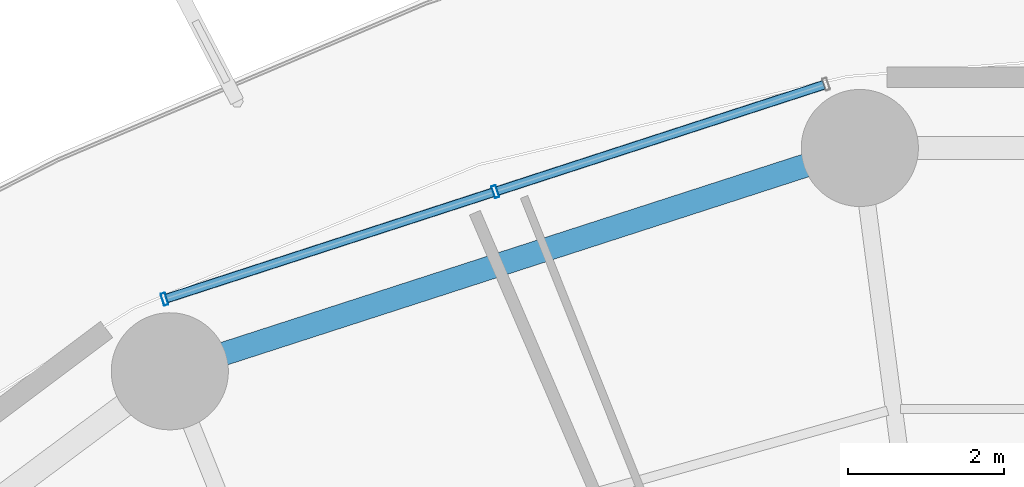
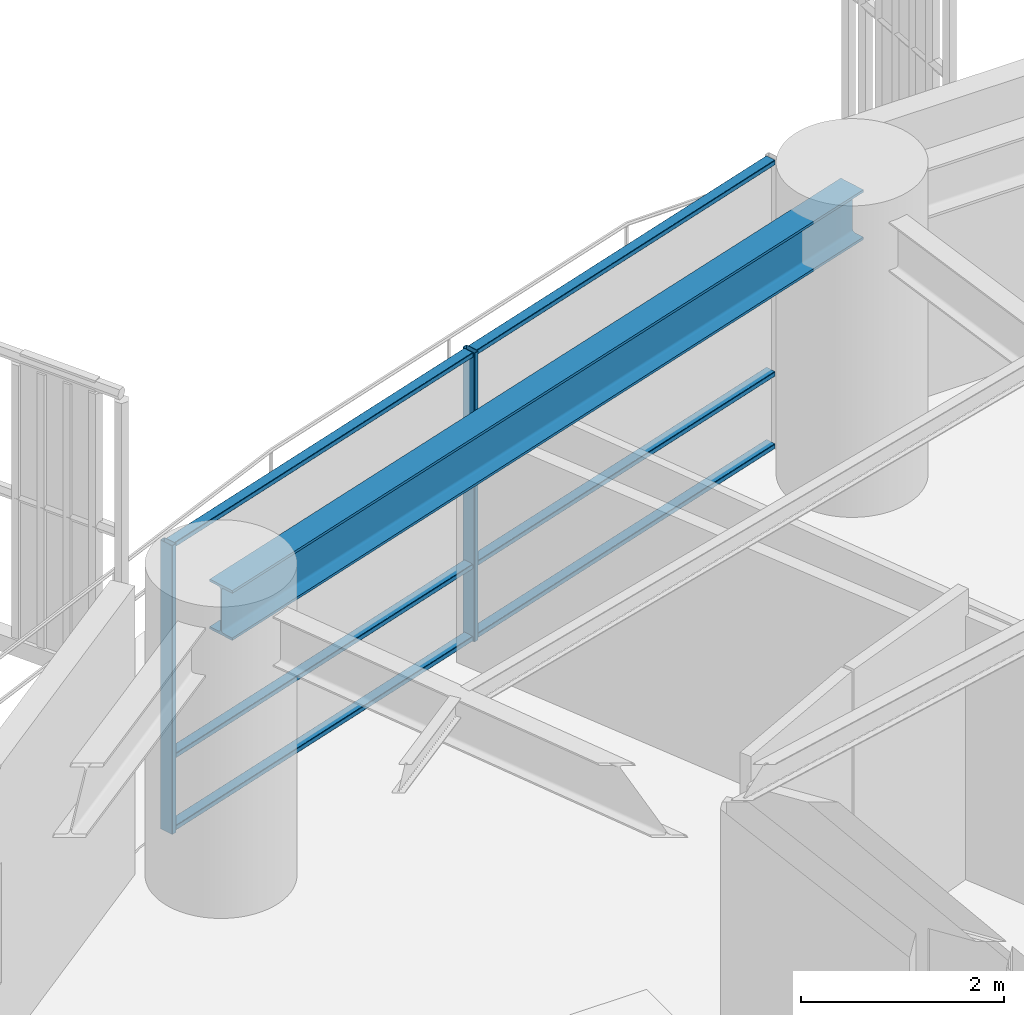
# One storey, part 17 of 33: 8 members, 1 beam, 1 element without a shape of its own.
"""IFC4 building model written with IfcOpenShell, lengths in metres."""

from ifc_helpers import new_model, si_unit, direction, frame, origin, origin_2d, place, context, subcontext, project, spatial, hollow_rectangle, i_section, extrude, material, layer, layer_set, material_profile, profile_set, type_object, element, aggregate, save


model = new_model("IFC4")

# Units and contexts
model_context = context("Model", 3, precision=1e-05, world=origin(), true_north=direction((0.0, 1.0)))
body_context = subcontext(model_context, "Body", "Model", "MODEL_VIEW")
ifc_project = project(units=[si_unit("LENGTHUNIT", "METRE"), si_unit("AREAUNIT", "SQUARE_METRE"), si_unit("VOLUMEUNIT", "CUBIC_METRE"), si_unit("PLANEANGLEUNIT", "RADIAN"), si_unit("MASSUNIT", "GRAM", prefix="KILO")], contexts=[model_context])

# Site, building, storey
site_placement = place(None, origin())
site = spatial("IfcSite", under=ifc_project, at=site_placement, CompositionType="ELEMENT")
building_placement = place(site_placement, origin())
building = spatial("IfcBuilding", under=site, at=building_placement, Name="Kelanora Arch Commons", CompositionType="ELEMENT")
storey_placement = place(building_placement, frame((0.0, 0.0, 45.0)))
storey = spatial("IfcBuildingStorey", under=building, at=storey_placement, Name="L11", CompositionType="ELEMENT", Elevation=45.0)

# Beam
ifc_material_1 = material(Name="Steel S355", Category="steel")
ifc_material_profile_1 = material_profile(ifc_material_1, i_section(OverallWidth=0.300048828125, OverallDepth=0.60009765625, WebThickness=0.015380859375, FlangeThickness=0.030029296875, FilletRadius=0.027099609375, at=origin_2d()), Name="HEB600")
ifc_profile_set_1 = profile_set([ifc_material_profile_1], Name="Steel S355")
beam_type = type_object("IfcBeamType", Name="BM-SPN-Z1", PredefinedType="SPANDREL", material=ifc_profile_set_1)
beam_placement = place(storey_placement, frame((69.297607421875, 81.714111328125, 3.18994140625), z_axis=(-0.951417120402, -0.307904957748, 0.0), x_axis=(0.307904957748, -0.951417120402, 0.0)))
element("IfcBeam", 1, at=beam_placement, inside=storey, type_object=beam_type, Name="Perimeter Spandrel Beam BS-10 L11", PredefinedType="SPANDREL", context=body_context, shape_type="SweptSolid", body=[
    extrude(i_section(OverallWidth=0.300048828125, OverallDepth=0.60009765625, WebThickness=0.015380859375, FlangeThickness=0.030029296875, FilletRadius=0.027099609375, at=origin_2d()), origin(), (0.0, 0.0, 1.0), 9.288818359375),
])

# Curtain wall, members
ifc_material_2 = material(Name="Terracotta ceramic-fritted low-E glass and aluminium", Category="masonry")
ifc_layer = layer(ifc_material_2, 0.159912109375)
ifc_layer_set = layer_set([ifc_layer], Name="Terracotta ceramic-fritted low-E glass and aluminium")
curtain_wall_type = type_object("IfcCurtainWallType", Name="CW-SYS-01", PredefinedType="NOTDEFINED", material=ifc_layer_set)
curtain_wall_placement = place(storey_placement, origin())
curtain_wall = element("IfcCurtainWall", 2, at=curtain_wall_placement, inside=storey, type_object=curtain_wall_type, Name="Unitised Curtain Wall L11-B05", PredefinedType="NOTDEFINED")
ifc_material_3 = material(Name="Powder-coated aluminium terracotta", Category="masonry")
ifc_material_profile_2 = material_profile(ifc_material_3, hollow_rectangle(XDim=0.159912109375, YDim=0.06005859375, WallThickness=0.0048828125, InnerFilletRadius=0.0048828125, OuterFilletRadius=0.010009765625, at=origin_2d()), Name="CWM160x60")
ifc_profile_set_2 = profile_set([ifc_material_profile_2], Name="Powder-coated aluminium terracotta")
member_type_1 = type_object("IfcMemberType", Name="CWM-STD", PredefinedType="MULLION", material=ifc_profile_set_2)
member_1_placement = place(storey_placement, frame((64.62890625, 81.15478515625, 0.0), z_axis=(0.0, 0.0, 1.0), x_axis=(0.30905758454, -0.951043326793, 0.0)))
member_1 = element("IfcMember", 3, at=member_1_placement, type_object=member_type_1, Name="CW-01 mullion 2", PredefinedType="MULLION", context=body_context, shape_type="SweptSolid", body=[
    extrude(hollow_rectangle(XDim=0.159912109375, YDim=0.06005859375, WallThickness=0.0048828125, InnerFilletRadius=0.0048828125, OuterFilletRadius=0.010009765625, at=origin_2d()), origin(), (0.0, 0.0, 1.0), 3.47509765625),
])
member_2_placement = place(storey_placement, frame((60.392333984375, 79.778076171875, 0.0), z_axis=(0.0, 0.0, 1.0), x_axis=(0.30905758454, -0.951043326793, 0.0)))
member_2 = element("IfcMember", 4, at=member_2_placement, type_object=member_type_1, Name="CW-01 mullion 3", PredefinedType="MULLION", context=body_context, shape_type="SweptSolid", body=[
    extrude(hollow_rectangle(XDim=0.159912109375, YDim=0.06005859375, WallThickness=0.0048828125, InnerFilletRadius=0.0048828125, OuterFilletRadius=0.010009765625, at=origin_2d()), origin(), (0.0, 0.0, 1.0), 3.47509765625),
])
ifc_material_profile_3 = material_profile(ifc_material_3, hollow_rectangle(XDim=0.1201171875, YDim=0.06005859375, WallThickness=0.0048828125, InnerFilletRadius=0.0048828125, OuterFilletRadius=0.010009765625, at=origin_2d()), Name="CWT120x60")
ifc_profile_set_3 = profile_set([ifc_material_profile_3], Name="Powder-coated aluminium terracotta")
member_type_2 = type_object("IfcMemberType", Name="CWT-STD", PredefinedType="USERDEFINED", material=ifc_profile_set_3)
member_3_placement = place(storey_placement, frame((68.8369140625, 82.5224609375, 0.030029296875), z_axis=(-0.951028761285, -0.309102402464, 0.0), x_axis=(0.309102402464, -0.951028761285, 0.0)))
member_3 = element("IfcMember", 5, at=member_3_placement, type_object=member_type_2, Name="CW-01 transom 1.1", ObjectType="TRANSOM", PredefinedType="USERDEFINED", context=body_context, shape_type="SweptSolid", body=[
    extrude(hollow_rectangle(XDim=0.1201171875, YDim=0.06005859375, WallThickness=0.0048828125, InnerFilletRadius=0.0048828125, OuterFilletRadius=0.010009765625, at=origin_2d()), origin(), (0.0, 0.0, 1.0), 4.394775390625),
])
member_4_placement = place(storey_placement, frame((68.8369140625, 82.5224609375, 0.89990234375), z_axis=(-0.951028761285, -0.309102402464, 0.0), x_axis=(0.309102402464, -0.951028761285, 0.0)))
member_4 = element("IfcMember", 6, at=member_4_placement, type_object=member_type_2, Name="CW-01 transom 1.2", ObjectType="TRANSOM", PredefinedType="USERDEFINED", context=body_context, shape_type="SweptSolid", body=[
    extrude(hollow_rectangle(XDim=0.1201171875, YDim=0.06005859375, WallThickness=0.0048828125, InnerFilletRadius=0.0048828125, OuterFilletRadius=0.010009765625, at=origin_2d()), origin(), (0.0, 0.0, 1.0), 4.394775390625),
])
member_5_placement = place(storey_placement, frame((68.8369140625, 82.5224609375, 3.445068359375), z_axis=(-0.951028761285, -0.309102402464, 0.0), x_axis=(0.309102402464, -0.951028761285, 0.0)))
member_5 = element("IfcMember", 7, at=member_5_placement, type_object=member_type_2, Name="CW-01 transom 1.3", ObjectType="TRANSOM", PredefinedType="USERDEFINED", context=body_context, shape_type="SweptSolid", body=[
    extrude(hollow_rectangle(XDim=0.1201171875, YDim=0.06005859375, WallThickness=0.0048828125, InnerFilletRadius=0.0048828125, OuterFilletRadius=0.010009765625, at=origin_2d()), origin(), (0.0, 0.0, 1.0), 4.394775390625),
])
member_6_placement = place(storey_placement, frame((64.600341796875, 81.1455078125, 0.030029296875), z_axis=(-0.951045091182, -0.309052155047, 0.0), x_axis=(0.309052155047, -0.951045091182, 0.0)))
member_6 = element("IfcMember", 8, at=member_6_placement, type_object=member_type_2, Name="CW-01 transom 2.1", ObjectType="TRANSOM", PredefinedType="USERDEFINED", context=body_context, shape_type="SweptSolid", body=[
    extrude(hollow_rectangle(XDim=0.1201171875, YDim=0.06005859375, WallThickness=0.0048828125, InnerFilletRadius=0.0048828125, OuterFilletRadius=0.010009765625, at=origin_2d()), origin(), (0.0, 0.0, 1.0), 4.39453125),
])
member_7_placement = place(storey_placement, frame((64.600341796875, 81.1455078125, 0.89990234375), z_axis=(-0.951045091182, -0.309052155047, 0.0), x_axis=(0.309052155047, -0.951045091182, 0.0)))
member_7 = element("IfcMember", 9, at=member_7_placement, type_object=member_type_2, Name="CW-01 transom 2.2", ObjectType="TRANSOM", PredefinedType="USERDEFINED", context=body_context, shape_type="SweptSolid", body=[
    extrude(hollow_rectangle(XDim=0.1201171875, YDim=0.06005859375, WallThickness=0.0048828125, InnerFilletRadius=0.0048828125, OuterFilletRadius=0.010009765625, at=origin_2d()), origin(), (0.0, 0.0, 1.0), 4.39453125),
])
member_8_placement = place(storey_placement, frame((64.600341796875, 81.1455078125, 3.445068359375), z_axis=(-0.951045091182, -0.309052155047, 0.0), x_axis=(0.309052155047, -0.951045091182, 0.0)))
member_8 = element("IfcMember", 10, at=member_8_placement, type_object=member_type_2, Name="CW-01 transom 2.3", ObjectType="TRANSOM", PredefinedType="USERDEFINED", context=body_context, shape_type="SweptSolid", body=[
    extrude(hollow_rectangle(XDim=0.1201171875, YDim=0.06005859375, WallThickness=0.0048828125, InnerFilletRadius=0.0048828125, OuterFilletRadius=0.010009765625, at=origin_2d()), origin(), (0.0, 0.0, 1.0), 4.39453125),
])
aggregate(curtain_wall, [member_1, member_2, member_3, member_4, member_5, member_6, member_7, member_8])

save(model, "model.ifc")
